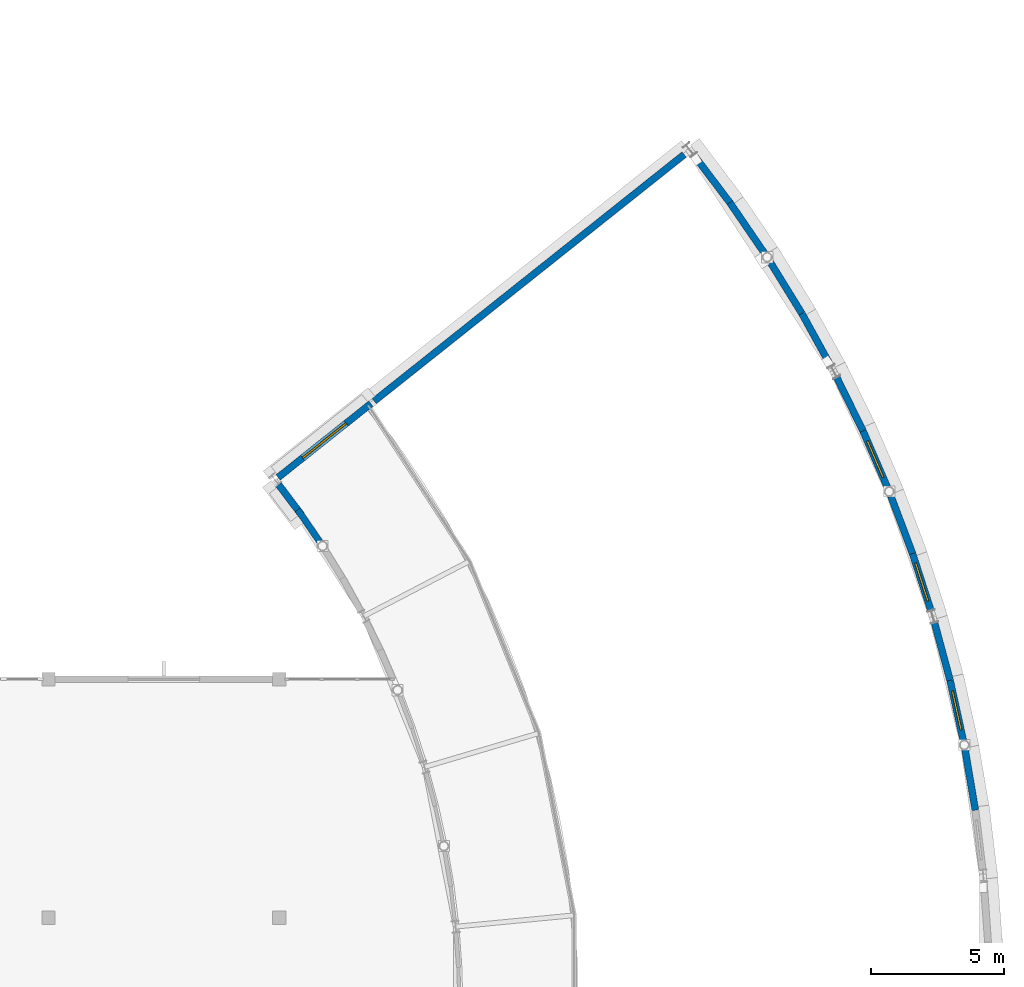
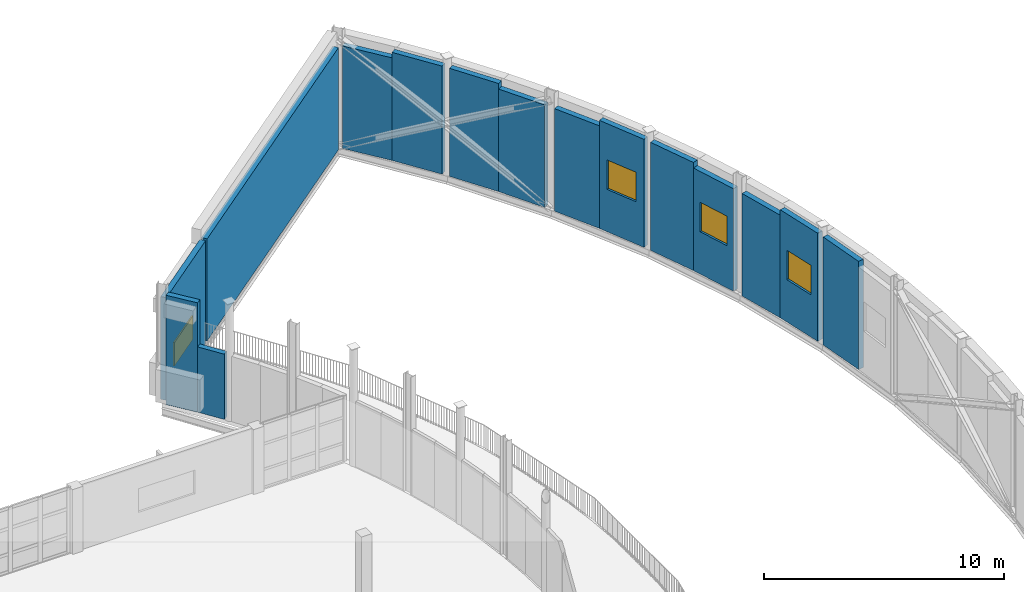
# One storey, part 73 of 104: 15 walls, 4 windows, 4 openings.
"""IFC4 building model written with IfcOpenShell, lengths in metres."""

from ifc_helpers import new_model, si_unit, direction, frame, frame_2d, origin, place, context, subcontext, project, spatial, rectangle, extrude, material, layer, layer_set, type_object, element, fill, save


model = new_model("IFC4")

# Units and contexts
model_context = context("Model", 3, precision=1e-05, world=origin(), true_north=direction((0.0, 1.0)))
body_context = subcontext(model_context, "Body", "Model", "MODEL_VIEW")
ifc_project = project(units=[si_unit("LENGTHUNIT", "METRE"), si_unit("AREAUNIT", "SQUARE_METRE"), si_unit("VOLUMEUNIT", "CUBIC_METRE"), si_unit("PLANEANGLEUNIT", "RADIAN"), si_unit("MASSUNIT", "GRAM", prefix="KILO")], contexts=[model_context])

# Site, building, storey
site_placement = place(None, origin())
site = spatial("IfcSite", under=ifc_project, at=site_placement, CompositionType="ELEMENT")
building_placement = place(site_placement, origin())
building = spatial("IfcBuilding", under=site, at=building_placement, Name="Vanh Quang Courtyard School", CompositionType="ELEMENT")
storey_placement = place(building_placement, frame((0.0, 0.0, 4.199951171875)))
storey = spatial("IfcBuildingStorey", under=building, at=storey_placement, Name="L01", CompositionType="ELEMENT", Elevation=4.199951171875)

# Walls
ifc_material_1 = material(Name="Precast concrete C40/50", Category="concrete")
ifc_layer_1 = layer(ifc_material_1, 0.239990234375)
ifc_layer_set_1 = layer_set([ifc_layer_1], Name="Precast concrete C40/50")
wall_type_1 = type_object("IfcWallType", Name="W-EXT-240", PredefinedType="SOLIDWALL", material=ifc_layer_set_1)
wall_1_placement = place(storey_placement, frame((138.73828125, 73.573486328125, 0.0), z_axis=(0.0, 0.0, 1.0), x_axis=(-0.56467208792, 0.825315353743, 0.0)))
element("IfcWall", 1, at=wall_1_placement, inside=storey, type_object=wall_type_1, Name="Wall WE-03 (L01)", PredefinedType="SOLIDWALL", context=body_context, shape_type="SweptSolid", body=[
    extrude(rectangle(XDim=1.47998046875, YDim=0.239990234375, at=frame_2d((0.739990234375, 0.0))), origin(), (0.0, 0.0, 1.0), 3.320068359375),
])
ifc_layer_2 = layer(ifc_material_1, 0.260009765625)
ifc_layer_set_2 = layer_set([ifc_layer_2], Name="Precast concrete C40/50")
wall_type_2 = type_object("IfcWallType", Name="W-EXT-260", PredefinedType="SOLIDWALL", material=ifc_layer_set_2)
wall_2_placement = place(storey_placement, frame((138.042724609375, 74.600341796875, 0.0), z_axis=(0.0, 0.0, 1.0), x_axis=(-0.603492572952, 0.797368618891, 0.0)))
element("IfcWall", 2, at=wall_2_placement, inside=storey, type_object=wall_type_2, Name="Wall WE-02 (L01)", PredefinedType="SOLIDWALL", context=body_context, shape_type="SweptSolid", body=[
    extrude(rectangle(XDim=1.42919921875, YDim=0.260009765625, at=frame_2d((0.714599609375, 0.0))), origin(), (0.0, 0.0, 1.0), 5.56005859375),
])

# Wall, opening, window
wall_3_placement = place(storey_placement, frame((137.1591796875, 76.0126953125, 0.0), z_axis=(0.0, 0.0, 1.0), x_axis=(0.782644574643, 0.622468850452, 0.0)))
wall_3 = element("IfcWall", 3, at=wall_3_placement, inside=storey, type_object=wall_type_2, Name="Wall WE-02 (L01)", PredefinedType="SOLIDWALL", context=body_context, shape_type="SweptSolid", body=[
    extrude(rectangle(XDim=4.471923828125, YDim=0.260009765625, at=frame_2d((2.23583984375, 0.0))), origin(), (0.0, 0.0, 1.0), 5.219970703125),
])
opening_1_placement = place(wall_3_placement, frame((1.18603515625, 0.0, 0.949951171875)))
opening_1 = element("IfcOpeningElement", 4, at=opening_1_placement, cuts=wall_3, Name="Opening WN-04", PredefinedType="OPENING", context=body_context, shape_type="SweptSolid", body=[
    extrude(rectangle(XDim=2.10009765625, YDim=1.199951171875, at=frame_2d((1.050048828125, 0.60009765625))), frame((0.0, 0.14013671875, 0.0), z_axis=(0.0, -1.0, 0.0), x_axis=(1.0, 0.0, 0.0)), (0.0, 0.0, 1.0), 0.280029296875),
])
ifc_material_2 = material(Name="Anodised aluminium and low-E double glazing", Category="aluminium")
window_type_1 = type_object("IfcWindowType", Name="WIN-TYP-04", PartitioningType="SINGLE_PANEL", PredefinedType="WINDOW", material=ifc_material_2)
window_1_placement = place(opening_1_placement, origin())
window_1 = element("IfcWindow", 5, at=window_1_placement, inside=storey, type_object=window_type_1, Name="Window WN-04 (L01)", OverallHeight=1.199951171875, OverallWidth=2.10009765625, PartitioningType="SINGLE_PANEL", PredefinedType="WINDOW", context=body_context, shape_type="SweptSolid", body=[
    extrude(rectangle(XDim=2.10009765625, YDim=1.199951171875, at=frame_2d((1.050048828125, 0.60009765625))), frame((0.0, 0.030029296875, 0.0), z_axis=(0.0, -1.0, 0.0), x_axis=(1.0, 0.0, 0.0)), (0.0, 0.0, 1.0), 0.06005859375),
])
fill(opening_1, window_1)

# Wall
wall_4_placement = place(storey_placement, frame((163.4619140625, 63.461669921875, 0.0), z_axis=(0.0, 0.0, 1.0), x_axis=(-0.167231340642, 0.985917683535, 0.0)))
element("IfcWall", 6, at=wall_4_placement, inside=storey, type_object=wall_type_2, Name="Wall WE-02 (L01)", PredefinedType="SOLIDWALL", context=body_context, shape_type="SweptSolid", body=[
    extrude(rectangle(XDim=2.31982421875, YDim=0.260009765625, at=frame_2d((1.159912109375, 0.0))), origin(), (0.0, 0.0, 1.0), 5.4951171875),
])

# Wall, opening, window
wall_5_placement = place(storey_placement, frame((163.0068359375, 66.09375, 0.0), z_axis=(0.0, 0.0, 1.0), x_axis=(-0.214277499547, 0.976772825783, 0.0)))
wall_5 = element("IfcWall", 7, at=wall_5_placement, inside=storey, type_object=wall_type_2, Name="Wall WE-02 (L01)", PredefinedType="SOLIDWALL", context=body_context, shape_type="SweptSolid", body=[
    extrude(rectangle(XDim=2.31982421875, YDim=0.260009765625, at=frame_2d((1.159912109375, 0.0))), origin(), (0.0, 0.0, 1.0), 5.4951171875),
])
opening_2_placement = place(wall_5_placement, frame((0.409912109375, 0.0, 2.14990234375)))
opening_2 = element("IfcOpeningElement", 8, at=opening_2_placement, cuts=wall_5, Name="Opening WN-11", PredefinedType="OPENING", context=body_context, shape_type="SweptSolid", body=[
    extrude(rectangle(XDim=1.5, YDim=1.5, at=frame_2d((0.75, 0.75))), frame((0.0, 0.14013671875, 0.0), z_axis=(0.0, -1.0, 0.0), x_axis=(1.0, 0.0, 0.0)), (0.0, 0.0, 1.0), 0.280029296875),
])
window_type_2 = type_object("IfcWindowType", Name="WIN-TYP-11", PartitioningType="SINGLE_PANEL", PredefinedType="WINDOW", material=ifc_material_2)
window_2_placement = place(opening_2_placement, origin())
window_2 = element("IfcWindow", 9, at=window_2_placement, inside=storey, type_object=window_type_2, Name="Window WN-11 (L01)", OverallHeight=1.5, OverallWidth=1.5, PartitioningType="SINGLE_PANEL", PredefinedType="WINDOW", context=body_context, shape_type="SweptSolid", body=[
    extrude(rectangle(XDim=1.5, YDim=1.5, at=frame_2d((0.75, 0.75))), frame((0.0, 0.030029296875, 0.0), z_axis=(0.0, -1.0, 0.0), x_axis=(1.0, 0.0, 0.0)), (0.0, 0.0, 1.0), 0.06005859375),
])
fill(opening_2, window_2)

# Wall
wall_6_placement = place(storey_placement, frame((162.509765625, 68.359619140625, 0.0), z_axis=(0.0, 0.0, 1.0), x_axis=(-0.26095823884, 0.965350090683, 0.0)))
element("IfcWall", 10, at=wall_6_placement, inside=storey, type_object=wall_type_2, Name="Wall WE-02 (L01)", PredefinedType="SOLIDWALL", context=body_context, shape_type="SweptSolid", body=[
    extrude(rectangle(XDim=2.2490234375, YDim=0.260009765625, at=frame_2d((1.12451171875, 0.0))), origin(), (0.0, 0.0, 1.0), 5.215087890625),
])

# Wall, opening, window
wall_7_placement = place(storey_placement, frame((161.782958984375, 71.00341796875, 0.0), z_axis=(0.0, 0.0, 1.0), x_axis=(-0.306996436397, 0.951710664036, 0.0)))
wall_7 = element("IfcWall", 11, at=wall_7_placement, inside=storey, type_object=wall_type_2, Name="Wall WE-02 (L01)", PredefinedType="SOLIDWALL", context=body_context, shape_type="SweptSolid", body=[
    extrude(rectangle(XDim=2.2490234375, YDim=0.260009765625, at=frame_2d((1.12451171875, 0.0))), origin(), (0.0, 0.0, 1.0), 5.215087890625),
])
opening_3_placement = place(wall_7_placement, frame((0.37451171875, 0.0, 2.14990234375)))
opening_3 = element("IfcOpeningElement", 12, at=opening_3_placement, cuts=wall_7, Name="Opening WN-11", PredefinedType="OPENING", context=body_context, shape_type="SweptSolid", body=[
    extrude(rectangle(XDim=1.5, YDim=1.5, at=frame_2d((0.75, 0.75))), frame((0.0, 0.14013671875, 0.0), z_axis=(0.0, -1.0, 0.0), x_axis=(1.0, 0.0, 0.0)), (0.0, 0.0, 1.0), 0.280029296875),
])
window_3_placement = place(opening_3_placement, origin())
window_3 = element("IfcWindow", 13, at=window_3_placement, inside=storey, type_object=window_type_2, Name="Window WN-11 (L01)", OverallHeight=1.5, OverallWidth=1.5, PartitioningType="SINGLE_PANEL", PredefinedType="WINDOW", context=body_context, shape_type="SweptSolid", body=[
    extrude(rectangle(XDim=1.5, YDim=1.5, at=frame_2d((0.75, 0.75))), frame((0.0, 0.030029296875, 0.0), z_axis=(0.0, -1.0, 0.0), x_axis=(1.0, 0.0, 0.0)), (0.0, 0.0, 1.0), 0.06005859375),
])
fill(opening_3, window_3)

# Wall
wall_8_placement = place(storey_placement, frame((161.092529296875, 73.143798828125, 0.0), z_axis=(0.0, 0.0, 1.0), x_axis=(-0.352241918136, 0.935908986551, 0.0)))
element("IfcWall", 14, at=wall_8_placement, inside=storey, type_object=wall_type_2, Name="Wall WE-02 (L01)", PredefinedType="SOLIDWALL", context=body_context, shape_type="SweptSolid", body=[
    extrude(rectangle(XDim=2.31982421875, YDim=0.260009765625, at=frame_2d((1.159912109375, 0.0))), origin(), (0.0, 0.0, 1.0), 5.4951171875),
])

# Wall, opening, window
wall_9_placement = place(storey_placement, frame((160.143798828125, 75.640869140625, 0.0), z_axis=(0.0, 0.0, 1.0), x_axis=(-0.396762576076, 0.917921270167, 0.0)))
wall_9 = element("IfcWall", 15, at=wall_9_placement, inside=storey, type_object=wall_type_2, Name="Wall WE-02 (L01)", PredefinedType="SOLIDWALL", context=body_context, shape_type="SweptSolid", body=[
    extrude(rectangle(XDim=2.31982421875, YDim=0.260009765625, at=frame_2d((1.159912109375, 0.0))), origin(), (0.0, 0.0, 1.0), 5.4951171875),
])
opening_4_placement = place(wall_9_placement, frame((0.409912109375, 0.0, 2.14990234375)))
opening_4 = element("IfcOpeningElement", 16, at=opening_4_placement, cuts=wall_9, Name="Opening WN-11", PredefinedType="OPENING", context=body_context, shape_type="SweptSolid", body=[
    extrude(rectangle(XDim=1.5, YDim=1.5, at=frame_2d((0.75, 0.75))), frame((0.0, 0.14013671875, 0.0), z_axis=(0.0, -1.0, 0.0), x_axis=(1.0, 0.0, 0.0)), (0.0, 0.0, 1.0), 0.280029296875),
])
window_4_placement = place(opening_4_placement, origin())
window_4 = element("IfcWindow", 17, at=window_4_placement, inside=storey, type_object=window_type_2, Name="Window WN-11 (L01)", OverallHeight=1.5, OverallWidth=1.5, PartitioningType="SINGLE_PANEL", PredefinedType="WINDOW", context=body_context, shape_type="SweptSolid", body=[
    extrude(rectangle(XDim=1.5, YDim=1.5, at=frame_2d((0.75, 0.75))), frame((0.0, 0.030029296875, 0.0), z_axis=(0.0, -1.0, 0.0), x_axis=(1.0, 0.0, 0.0)), (0.0, 0.0, 1.0), 0.06005859375),
])
fill(opening_4, window_4)

# Walls
for number, where, z_axis, x_axis, name in (
    (18, (159.223388671875, 77.770263671875, 0.0), (0.0, 0.0, 1.0), (-0.440296219123, 0.897852571097, 0.0), "Wall WE-02 (L01)"),
    (19, (158.005615234375, 80.226806640625, 0.0), (0.0, 0.0, 1.0), (-0.482930989032, 0.875658415041, 0.0), "Wall WE-02 (L01)"),
):
    element("IfcWall", number, at=place(storey_placement, frame(where, z_axis=z_axis, x_axis=x_axis)), inside=storey, type_object=wall_type_2, Name=name, PredefinedType="SOLIDWALL", context=body_context, shape_type="SweptSolid", body=[
        extrude(rectangle(XDim=2.2490234375, YDim=0.260009765625, at=frame_2d((1.12451171875, 0.0))), origin(), (0.0, 0.0, 1.0), 5.215087890625),
    ])
wall_10_placement = place(storey_placement, frame((156.91943359375, 82.1962890625, 0.0), z_axis=(0.0, 0.0, 1.0), x_axis=(-0.524367532109, 0.851492038289, 0.0)))
element("IfcWall", 20, at=wall_10_placement, inside=storey, type_object=wall_type_2, Name="Wall WE-02 (L01)", PredefinedType="SOLIDWALL", context=body_context, shape_type="SweptSolid", body=[
    extrude(rectangle(XDim=2.319580078125, YDim=0.260009765625, at=frame_2d((1.15966796875, 0.0))), origin(), (0.0, 0.0, 1.0), 5.4951171875),
])
wall_11_placement = place(storey_placement, frame((155.51171875, 84.46630859375, 0.0), z_axis=(0.0, 0.0, 1.0), x_axis=(-0.564593369165, 0.825369206777, 0.0)))
element("IfcWall", 21, at=wall_11_placement, inside=storey, type_object=wall_type_2, Name="Wall WE-02 (L01)", PredefinedType="SOLIDWALL", context=body_context, shape_type="SweptSolid", body=[
    extrude(rectangle(XDim=2.31982421875, YDim=0.260009765625, at=frame_2d((1.159912109375, 0.0))), origin(), (0.0, 0.0, 1.0), 5.4951171875),
])
wall_12_placement = place(storey_placement, frame((154.201904296875, 86.381103515625, 0.0), z_axis=(0.0, 0.0, 1.0), x_axis=(-0.603554595326, 0.797321673142, 0.0)))
element("IfcWall", 22, at=wall_12_placement, inside=storey, type_object=wall_type_2, Name="Wall WE-02 (L01)", PredefinedType="SOLIDWALL", context=body_context, shape_type="SweptSolid", body=[
    extrude(rectangle(XDim=2.2490234375, YDim=0.260009765625, at=frame_2d((1.12451171875, 0.0))), origin(), (0.0, 0.0, 1.0), 5.215087890625),
])
wall_13_placement = place(storey_placement, frame((140.7841796875, 78.89599609375, 0.0), z_axis=(0.0, 0.0, 1.0), x_axis=(0.782608291563, 0.622514467283, 0.0)))
element("IfcWall", 23, at=wall_13_placement, inside=storey, type_object=wall_type_2, Name="Wall WE-02 (L01)", PredefinedType="SOLIDWALL", context=body_context, shape_type="SweptSolid", body=[
    extrude(rectangle(XDim=14.940185546875, YDim=0.260009765625, at=frame_2d((7.47021484375, 0.0))), origin(), (0.0, 0.0, 1.0), 5.199951171875),
])

save(model, "model.ifc")
